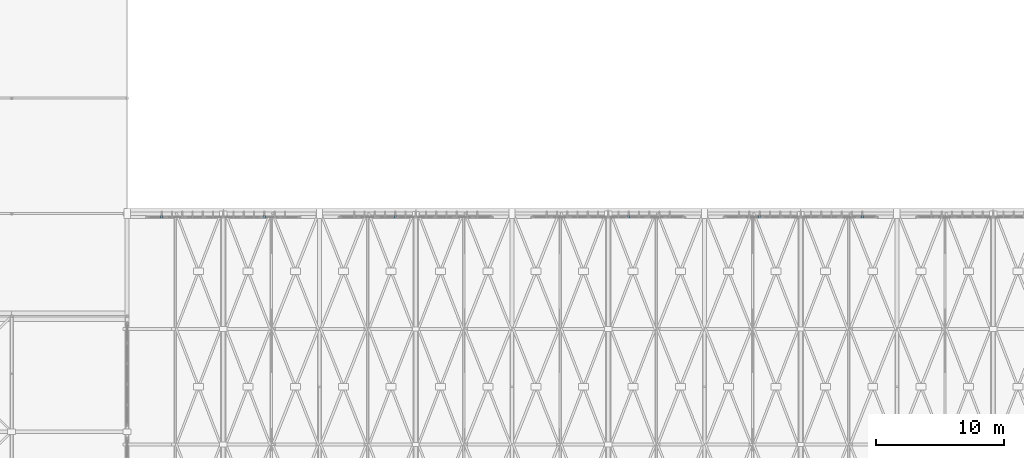
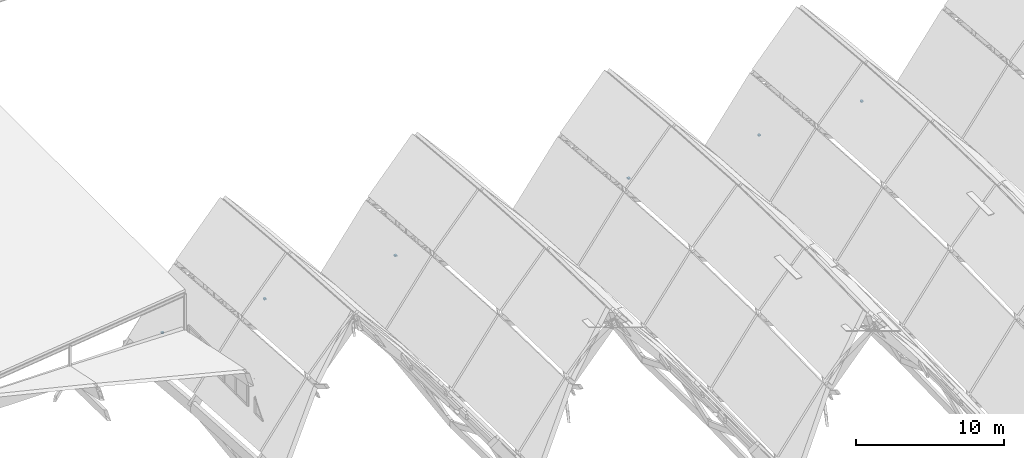
# One storey, part 81 of 93: 6 discrete accessories.
"""IFC4 building model written with IfcOpenShell, lengths in metres."""

from ifc_helpers import new_model, si_unit, direction, frame, origin, origin_2d, place, context, subcontext, project, spatial, rectangle, extrude, material, type_object, element, save


model = new_model("IFC4")

# Units and contexts
model_context = context("Model", 3, precision=1e-05, world=origin(), true_north=direction((0.0, 1.0)))
body_context = subcontext(model_context, "Body", "Model", "MODEL_VIEW")
ifc_project = project(units=[si_unit("LENGTHUNIT", "METRE"), si_unit("AREAUNIT", "SQUARE_METRE"), si_unit("VOLUMEUNIT", "CUBIC_METRE"), si_unit("PLANEANGLEUNIT", "RADIAN"), si_unit("MASSUNIT", "GRAM", prefix="KILO")], contexts=[model_context])

# Site, building, storey
site_placement = place(None, origin())
site = spatial("IfcSite", under=ifc_project, at=site_placement, CompositionType="ELEMENT")
building_placement = place(site_placement, origin())
building = spatial("IfcBuilding", under=site, at=building_placement, Name="Vourika Railside Aquatics Centre", CompositionType="ELEMENT")
storey_placement = place(building_placement, frame((0.0, 0.0, 21.89990234375)))
storey = spatial("IfcBuildingStorey", under=building, at=storey_placement, Name="Roof", CompositionType="ELEMENT", Elevation=21.89990234375)

# Discrete accessories
ifc_material = material(Name="Duplex stainless steel EN 1.4462", Category="steel")
discrete_accessory_type = type_object("IfcDiscreteAccessoryType", Name="ACC-BRK-180", PredefinedType="BRACKET", material=ifc_material)
for number, where, z_axis, x_axis, name in (
    (1, (38.699951171875, 65.75, -11.099853515625), (0.0, 0.0, 1.0), (0.0, 1.0, 0.0), "Stainless Fin Shoe Bracket BK-001"),
    (2, (46.699951171875, 65.75, -11.099853515625), (0.0, 0.0, 1.0), (0.0, 1.0, 0.0), "Stainless Fin Shoe Bracket BK-002"),
    (3, (56.89990234375, 65.75, -11.099853515625), (0.0, 0.0, 1.0), (0.0, 1.0, 0.0), "Stainless Fin Shoe Bracket BK-004"),
    (4, (75.10009765625, 65.75, -11.099853515625), (0.0, 0.0, 1.0), (0.0, 1.0, 0.0), "Stainless Fin Shoe Bracket BK-007"),
    (5, (85.300048828125, 65.75, -11.099853515625), (0.0, 0.0, 1.0), (0.0, 1.0, 0.0), "Stainless Fin Shoe Bracket BK-009"),
    (6, (93.300048828125, 65.75, -11.099853515625), (0.0, 0.0, 1.0), (0.0, 1.0, 0.0), "Stainless Fin Shoe Bracket BK-010"),
):
    element("IfcDiscreteAccessory", number, at=place(storey_placement, frame(where, z_axis=z_axis, x_axis=x_axis)), inside=storey, type_object=discrete_accessory_type, Name=name, PredefinedType="BRACKET", context=body_context, shape_type="SweptSolid", body=[
        extrude(rectangle(XDim=0.179931640625, YDim=0.179931640625, at=origin_2d()), origin(), (0.0, 0.0, 1.0), 0.1201171875),
    ])

save(model, "model.ifc")
